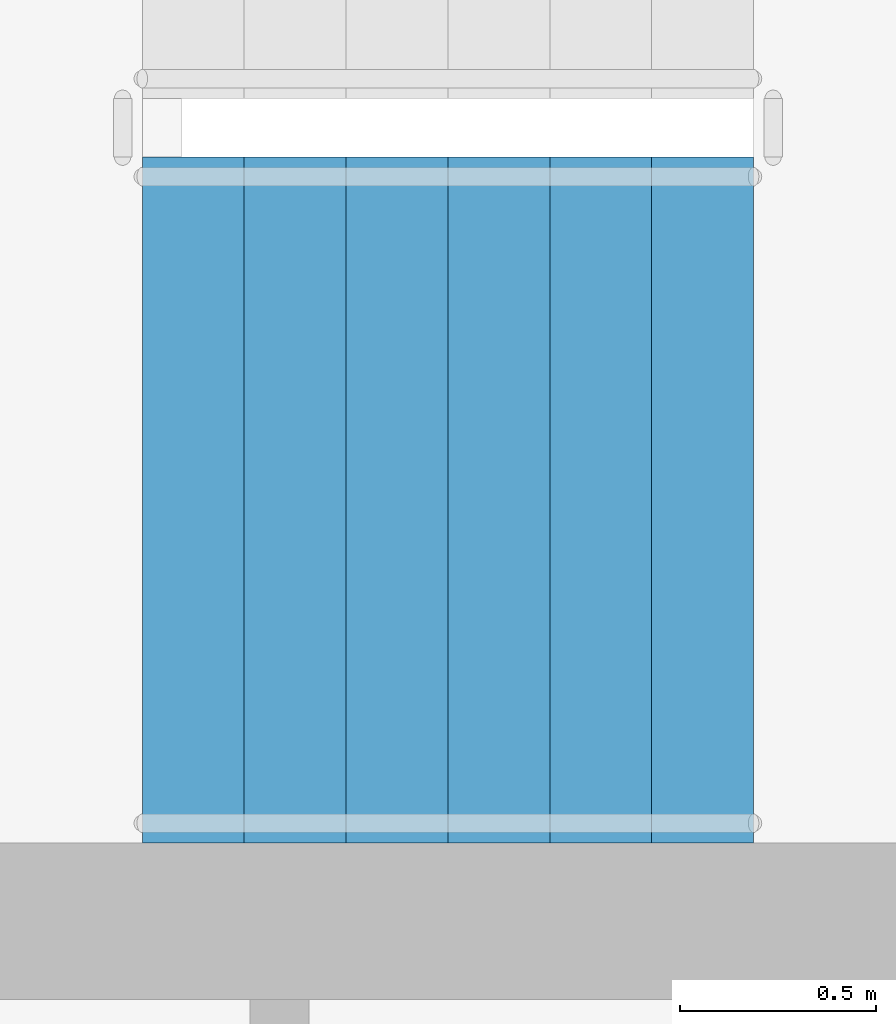
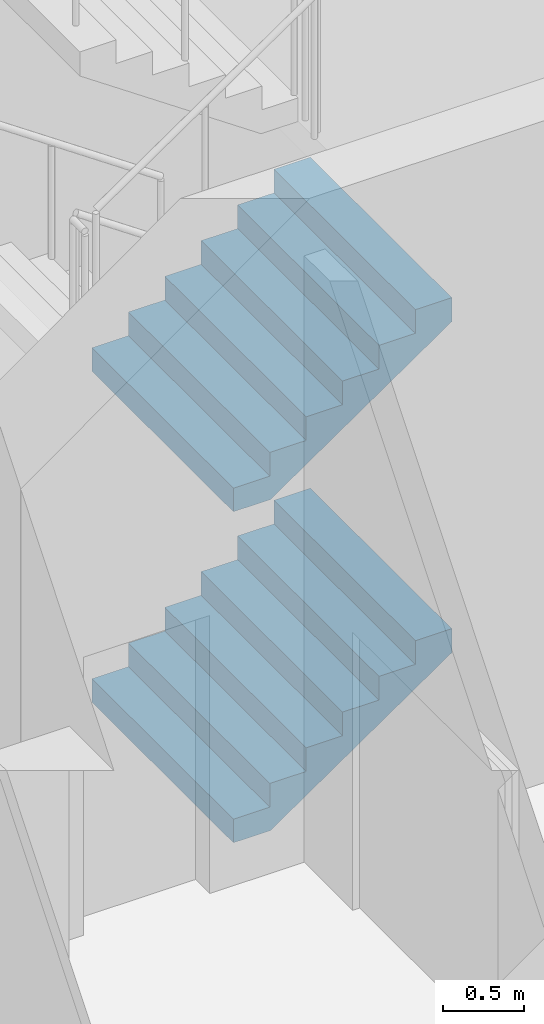
# One storey, part 32 of 59: 2 stair flights, 1 element without a shape of its own.
"""IFC4 building model written with IfcOpenShell, lengths in metres."""

from ifc_helpers import new_model, si_unit, direction, frame, origin, place, context, subcontext, project, spatial, faceted_brep, material, type_object, element, aggregate, save


model = new_model("IFC4")

# Units and contexts
model_context = context("Model", 3, precision=1e-05, world=origin(), true_north=direction((0.0, 1.0)))
body_context = subcontext(model_context, "Body", "Model", "MODEL_VIEW")
ifc_project = project(units=[si_unit("LENGTHUNIT", "METRE"), si_unit("AREAUNIT", "SQUARE_METRE"), si_unit("VOLUMEUNIT", "CUBIC_METRE"), si_unit("PLANEANGLEUNIT", "RADIAN"), si_unit("MASSUNIT", "GRAM", prefix="KILO")], contexts=[model_context])

# Site, building, storey
site_placement = place(None, origin())
site = spatial("IfcSite", under=ifc_project, at=site_placement, CompositionType="ELEMENT")
building_placement = place(site_placement, origin())
building = spatial("IfcBuilding", under=site, at=building_placement, Name="Ipe Terrace Towers", CompositionType="ELEMENT")
storey_placement = place(building_placement, frame((0.0, 0.0, 6.0)))
storey = spatial("IfcBuildingStorey", under=building, at=storey_placement, Name="L01", CompositionType="ELEMENT", Elevation=6.0)

# Stair, stair flights
ifc_material_1 = material(Name="Concrete C30/37", Category="concrete")
stair_type = type_object("IfcStairType", Name="Protected exit stair", PredefinedType="HALF_TURN_STAIR", material=ifc_material_1)
stair_placement = place(storey_placement, origin())
stair = element("IfcStair", 1, at=stair_placement, inside=storey, type_object=stair_type, Name="L01 Exit stair T1-C1", PredefinedType="HALF_TURN_STAIR")
ifc_material_2 = material(Name="Concrete C30/37", Category="concrete")
stair_flight_type = type_object("IfcStairFlightType", Name="Exit stair flight 1750", PredefinedType="STRAIGHT", material=ifc_material_2)
stair_flight_1_placement = place(storey_placement, frame((-26.300048828125, 2.77490234375, 0.0), z_axis=(0.0, 0.0, 1.0), x_axis=(1.0, 0.0, 0.0)))
stair_flight_1 = element("IfcStairFlight", 2, at=stair_flight_1_placement, type_object=stair_flight_type, Name="T1-ST1 flight 1", NumberOfRisers=7, NumberOfTreads=6, PredefinedType="STRAIGHT", RiserHeight=0.178571429, TreadLength=0.26, context=body_context, shape_type="Brep", body=[
    faceted_brep([(0.264892578125, -0.875, 0.0), (1.56005859375, -0.875, 0.8896484375), (1.56005859375, -0.875, 1.071533203125), (1.300048828125, -0.875, 1.071533203125), (1.300048828125, -0.875, 0.892822265625), (1.0400390625, -0.875, 0.892822265625), (1.0400390625, -0.875, 0.71435546875), (0.780029296875, -0.875, 0.71435546875), (0.780029296875, -0.875, 0.53564453125), (0.52001953125, -0.875, 0.53564453125), (0.52001953125, -0.875, 0.357177734375), (0.260009765625, -0.875, 0.357177734375), (0.260009765625, -0.875, 0.178466796875), (0.0, -0.875, 0.178466796875), (0.0, -0.875, 0.0), (0.0, 0.875, 0.0), (0.0, 0.875, 0.178466796875), (0.260009765625, 0.875, 0.178466796875), (0.260009765625, 0.875, 0.357177734375), (0.52001953125, 0.875, 0.357177734375), (0.52001953125, 0.875, 0.53564453125), (0.780029296875, 0.875, 0.53564453125), (0.780029296875, 0.875, 0.71435546875), (1.0400390625, 0.875, 0.71435546875), (1.0400390625, 0.875, 0.892822265625), (1.300048828125, 0.875, 0.892822265625), (1.300048828125, 0.875, 1.071533203125), (1.56005859375, 0.875, 1.071533203125), (1.56005859375, 0.875, 0.8896484375), (0.264892578125, 0.875, 0.0), (0.0, -0.300048828125, 0.178466796875), (0.0, -0.1201171875, 0.178466796875), (0.0, -0.06005859375, 0.178466796875), (0.0, -0.030029296875, 0.178466796875), (0.0, -0.010009765625, 0.178466796875), (0.0, 0.0, 0.178466796875), (0.0, 0.010009765625, 0.178466796875), (0.0, 0.030029296875, 0.178466796875), (0.0, 0.06005859375, 0.178466796875), (0.0, 0.1201171875, 0.178466796875), (0.0, 0.300048828125, 0.178466796875), (0.0, 0.300048828125, 0.0), (0.0, 0.1201171875, 0.0), (0.0, 0.06005859375, 0.0), (0.0, 0.030029296875, 0.0), (0.0, 0.010009765625, 0.0), (0.0, 0.0, 0.0), (0.0, -0.010009765625, 0.0), (0.0, -0.030029296875, 0.0), (0.0, -0.06005859375, 0.0), (0.0, -0.1201171875, 0.0), (0.0, -0.300048828125, 0.0), (0.260009765625, -0.300048828125, 0.178466796875), (0.260009765625, -0.1201171875, 0.178466796875), (0.260009765625, -0.06005859375, 0.178466796875), (0.260009765625, -0.030029296875, 0.178466796875), (0.260009765625, -0.010009765625, 0.178466796875), (0.260009765625, 0.0, 0.178466796875), (0.260009765625, 0.010009765625, 0.178466796875), (0.260009765625, 0.030029296875, 0.178466796875), (0.260009765625, 0.06005859375, 0.178466796875), (0.260009765625, 0.1201171875, 0.178466796875), (0.260009765625, 0.300048828125, 0.178466796875), (0.260009765625, -0.300048828125, 0.357177734375), (0.260009765625, -0.1201171875, 0.357177734375), (0.260009765625, -0.06005859375, 0.357177734375), (0.260009765625, -0.030029296875, 0.357177734375), (0.260009765625, -0.010009765625, 0.357177734375), (0.260009765625, 0.0, 0.357177734375), (0.260009765625, 0.010009765625, 0.357177734375), (0.260009765625, 0.030029296875, 0.357177734375), (0.260009765625, 0.06005859375, 0.357177734375), (0.260009765625, 0.1201171875, 0.357177734375), (0.260009765625, 0.300048828125, 0.357177734375), (0.52001953125, -0.300048828125, 0.357177734375), (0.52001953125, -0.1201171875, 0.357177734375), (0.52001953125, -0.06005859375, 0.357177734375), (0.52001953125, -0.030029296875, 0.357177734375), (0.52001953125, -0.010009765625, 0.357177734375), (0.52001953125, 0.0, 0.357177734375), (0.52001953125, 0.010009765625, 0.357177734375), (0.52001953125, 0.030029296875, 0.357177734375), (0.52001953125, 0.06005859375, 0.357177734375), (0.52001953125, 0.1201171875, 0.357177734375), (0.52001953125, 0.300048828125, 0.357177734375), (0.52001953125, -0.300048828125, 0.53564453125), (0.52001953125, -0.1201171875, 0.53564453125), (0.52001953125, -0.06005859375, 0.53564453125), (0.52001953125, -0.030029296875, 0.53564453125), (0.52001953125, -0.010009765625, 0.53564453125), (0.52001953125, 0.0, 0.53564453125), (0.52001953125, 0.010009765625, 0.53564453125), (0.52001953125, 0.030029296875, 0.53564453125), (0.52001953125, 0.06005859375, 0.53564453125), (0.52001953125, 0.1201171875, 0.53564453125), (0.52001953125, 0.300048828125, 0.53564453125), (0.780029296875, -0.300048828125, 0.53564453125), (0.780029296875, -0.1201171875, 0.53564453125), (0.780029296875, -0.06005859375, 0.53564453125), (0.780029296875, -0.030029296875, 0.53564453125), (0.780029296875, -0.010009765625, 0.53564453125), (0.780029296875, 0.0, 0.53564453125), (0.780029296875, 0.010009765625, 0.53564453125), (0.780029296875, 0.030029296875, 0.53564453125), (0.780029296875, 0.06005859375, 0.53564453125), (0.780029296875, 0.1201171875, 0.53564453125), (0.780029296875, 0.300048828125, 0.53564453125), (0.780029296875, -0.300048828125, 0.71435546875), (0.780029296875, -0.1201171875, 0.71435546875), (0.780029296875, -0.06005859375, 0.71435546875), (0.780029296875, -0.030029296875, 0.71435546875), (0.780029296875, -0.010009765625, 0.71435546875), (0.780029296875, 0.0, 0.71435546875), (0.780029296875, 0.010009765625, 0.71435546875), (0.780029296875, 0.030029296875, 0.71435546875), (0.780029296875, 0.06005859375, 0.71435546875), (0.780029296875, 0.1201171875, 0.71435546875), (0.780029296875, 0.300048828125, 0.71435546875), (1.0400390625, -0.300048828125, 0.71435546875), (1.0400390625, -0.1201171875, 0.71435546875), (1.0400390625, -0.06005859375, 0.71435546875), (1.0400390625, -0.030029296875, 0.71435546875), (1.0400390625, -0.010009765625, 0.71435546875), (1.0400390625, 0.0, 0.71435546875), (1.0400390625, 0.010009765625, 0.71435546875), (1.0400390625, 0.030029296875, 0.71435546875), (1.0400390625, 0.06005859375, 0.71435546875), (1.0400390625, 0.1201171875, 0.71435546875), (1.0400390625, 0.300048828125, 0.71435546875), (1.0400390625, -0.300048828125, 0.892822265625), (1.0400390625, -0.1201171875, 0.892822265625), (1.0400390625, -0.06005859375, 0.892822265625), (1.0400390625, -0.030029296875, 0.892822265625), (1.0400390625, -0.010009765625, 0.892822265625), (1.0400390625, 0.0, 0.892822265625), (1.0400390625, 0.010009765625, 0.892822265625), (1.0400390625, 0.030029296875, 0.892822265625), (1.0400390625, 0.06005859375, 0.892822265625), (1.0400390625, 0.1201171875, 0.892822265625), (1.0400390625, 0.300048828125, 0.892822265625), (1.300048828125, -0.300048828125, 0.892822265625), (1.300048828125, -0.1201171875, 0.892822265625), (1.300048828125, -0.06005859375, 0.892822265625), (1.300048828125, -0.030029296875, 0.892822265625), (1.300048828125, -0.010009765625, 0.892822265625), (1.300048828125, 0.0, 0.892822265625), (1.300048828125, 0.010009765625, 0.892822265625), (1.300048828125, 0.030029296875, 0.892822265625), (1.300048828125, 0.06005859375, 0.892822265625), (1.300048828125, 0.1201171875, 0.892822265625), (1.300048828125, 0.300048828125, 0.892822265625), (1.300048828125, -0.300048828125, 1.071533203125), (1.300048828125, -0.1201171875, 1.071533203125), (1.300048828125, -0.06005859375, 1.071533203125), (1.300048828125, -0.030029296875, 1.071533203125), (1.300048828125, -0.010009765625, 1.071533203125), (1.300048828125, 0.0, 1.071533203125), (1.300048828125, 0.010009765625, 1.071533203125), (1.300048828125, 0.030029296875, 1.071533203125), (1.300048828125, 0.06005859375, 1.071533203125), (1.300048828125, 0.1201171875, 1.071533203125), (1.300048828125, 0.300048828125, 1.071533203125), (1.56005859375, -0.300048828125, 1.071533203125), (1.56005859375, -0.1201171875, 1.071533203125), (1.56005859375, -0.06005859375, 1.071533203125), (1.56005859375, -0.030029296875, 1.071533203125), (1.56005859375, -0.010009765625, 1.071533203125), (1.56005859375, 0.0, 1.071533203125), (1.56005859375, 0.010009765625, 1.071533203125), (1.56005859375, 0.030029296875, 1.071533203125), (1.56005859375, 0.06005859375, 1.071533203125), (1.56005859375, 0.1201171875, 1.071533203125), (1.56005859375, 0.300048828125, 1.071533203125), (1.56005859375, -0.300048828125, 0.8896484375), (1.56005859375, -0.1201171875, 0.8896484375), (1.56005859375, -0.06005859375, 0.8896484375), (1.56005859375, -0.030029296875, 0.8896484375), (1.56005859375, -0.010009765625, 0.8896484375), (1.56005859375, 0.0, 0.8896484375), (1.56005859375, 0.010009765625, 0.8896484375), (1.56005859375, 0.030029296875, 0.8896484375), (1.56005859375, 0.06005859375, 0.8896484375), (1.56005859375, 0.1201171875, 0.8896484375), (1.56005859375, 0.300048828125, 0.8896484375), (0.264892578125, -0.300048828125, 0.0), (0.264892578125, -0.1201171875, 0.0), (0.264892578125, -0.06005859375, 0.0), (0.264892578125, -0.030029296875, 0.0), (0.264892578125, -0.010009765625, 0.0), (0.264892578125, 0.0, 0.0), (0.264892578125, 0.010009765625, 0.0), (0.264892578125, 0.030029296875, 0.0), (0.264892578125, 0.06005859375, 0.0), (0.264892578125, 0.1201171875, 0.0), (0.264892578125, 0.300048828125, 0.0)], [[[0, 1, 2, 3, 4, 5, 6, 7, 8, 9, 10, 11, 12, 13, 14]], [[15, 16, 17, 18, 19, 20, 21, 22, 23, 24, 25, 26, 27, 28, 29]], [[13, 30, 31, 32, 33, 34, 35, 36, 37, 38, 39, 40, 16, 15, 41, 42, 43, 44, 45, 46, 47, 48, 49, 50, 51, 14]], [[12, 52, 53, 54, 55, 56, 57, 58, 59, 60, 61, 62, 17, 16, 40, 39, 38, 37, 36, 35, 34, 33, 32, 31, 30, 13]], [[11, 63, 64, 65, 66, 67, 68, 69, 70, 71, 72, 73, 18, 17, 62, 61, 60, 59, 58, 57, 56, 55, 54, 53, 52, 12]], [[10, 74, 75, 76, 77, 78, 79, 80, 81, 82, 83, 84, 19, 18, 73, 72, 71, 70, 69, 68, 67, 66, 65, 64, 63, 11]], [[9, 85, 86, 87, 88, 89, 90, 91, 92, 93, 94, 95, 20, 19, 84, 83, 82, 81, 80, 79, 78, 77, 76, 75, 74, 10]], [[8, 96, 97, 98, 99, 100, 101, 102, 103, 104, 105, 106, 21, 20, 95, 94, 93, 92, 91, 90, 89, 88, 87, 86, 85, 9]], [[7, 107, 108, 109, 110, 111, 112, 113, 114, 115, 116, 117, 22, 21, 106, 105, 104, 103, 102, 101, 100, 99, 98, 97, 96, 8]], [[6, 118, 119, 120, 121, 122, 123, 124, 125, 126, 127, 128, 23, 22, 117, 116, 115, 114, 113, 112, 111, 110, 109, 108, 107, 7]], [[5, 129, 130, 131, 132, 133, 134, 135, 136, 137, 138, 139, 24, 23, 128, 127, 126, 125, 124, 123, 122, 121, 120, 119, 118, 6]], [[4, 140, 141, 142, 143, 144, 145, 146, 147, 148, 149, 150, 25, 24, 139, 138, 137, 136, 135, 134, 133, 132, 131, 130, 129, 5]], [[3, 151, 152, 153, 154, 155, 156, 157, 158, 159, 160, 161, 26, 25, 150, 149, 148, 147, 146, 145, 144, 143, 142, 141, 140, 4]], [[2, 162, 163, 164, 165, 166, 167, 168, 169, 170, 171, 172, 27, 26, 161, 160, 159, 158, 157, 156, 155, 154, 153, 152, 151, 3]], [[1, 173, 174, 175, 176, 177, 178, 179, 180, 181, 182, 183, 28, 27, 172, 171, 170, 169, 168, 167, 166, 165, 164, 163, 162, 2]], [[0, 184, 185, 186, 187, 188, 189, 190, 191, 192, 193, 194, 29, 28, 183, 182, 181, 180, 179, 178, 177, 176, 175, 174, 173, 1]], [[14, 51, 50, 49, 48, 47, 46, 45, 44, 43, 42, 41, 15, 29, 194, 193, 192, 191, 190, 189, 188, 187, 186, 185, 184, 0]]]),
])
stair_flight_2_placement = place(storey_placement, frame((-26.300048828125, 2.77490234375, 2.5), z_axis=(0.0, 0.0, 1.0), x_axis=(1.0, 0.0, 0.0)))
stair_flight_2 = element("IfcStairFlight", 3, at=stair_flight_2_placement, type_object=stair_flight_type, Name="T1-ST1 flight 3", NumberOfRisers=7, NumberOfTreads=6, PredefinedType="STRAIGHT", RiserHeight=0.178571429, TreadLength=0.26, context=body_context, shape_type="Brep", body=[
    faceted_brep([(0.264892578125, -0.875, 0.0), (1.56005859375, -0.875, 0.8896484375), (1.56005859375, -0.875, 1.071533203125), (1.300048828125, -0.875, 1.071533203125), (1.300048828125, -0.875, 0.892822265625), (1.0400390625, -0.875, 0.892822265625), (1.0400390625, -0.875, 0.71435546875), (0.780029296875, -0.875, 0.71435546875), (0.780029296875, -0.875, 0.53564453125), (0.52001953125, -0.875, 0.53564453125), (0.52001953125, -0.875, 0.357177734375), (0.260009765625, -0.875, 0.357177734375), (0.260009765625, -0.875, 0.178466796875), (0.0, -0.875, 0.178466796875), (0.0, -0.875, 0.0), (0.0, 0.875, 0.0), (0.0, 0.875, 0.178466796875), (0.260009765625, 0.875, 0.178466796875), (0.260009765625, 0.875, 0.357177734375), (0.52001953125, 0.875, 0.357177734375), (0.52001953125, 0.875, 0.53564453125), (0.780029296875, 0.875, 0.53564453125), (0.780029296875, 0.875, 0.71435546875), (1.0400390625, 0.875, 0.71435546875), (1.0400390625, 0.875, 0.892822265625), (1.300048828125, 0.875, 0.892822265625), (1.300048828125, 0.875, 1.071533203125), (1.56005859375, 0.875, 1.071533203125), (1.56005859375, 0.875, 0.8896484375), (0.264892578125, 0.875, 0.0), (0.0, -0.300048828125, 0.178466796875), (0.0, -0.1201171875, 0.178466796875), (0.0, -0.06005859375, 0.178466796875), (0.0, -0.030029296875, 0.178466796875), (0.0, -0.010009765625, 0.178466796875), (0.0, 0.0, 0.178466796875), (0.0, 0.010009765625, 0.178466796875), (0.0, 0.030029296875, 0.178466796875), (0.0, 0.06005859375, 0.178466796875), (0.0, 0.1201171875, 0.178466796875), (0.0, 0.300048828125, 0.178466796875), (0.0, 0.300048828125, 0.0), (0.0, 0.1201171875, 0.0), (0.0, 0.06005859375, 0.0), (0.0, 0.030029296875, 0.0), (0.0, 0.010009765625, 0.0), (0.0, 0.0, 0.0), (0.0, -0.010009765625, 0.0), (0.0, -0.030029296875, 0.0), (0.0, -0.06005859375, 0.0), (0.0, -0.1201171875, 0.0), (0.0, -0.300048828125, 0.0), (0.260009765625, -0.300048828125, 0.178466796875), (0.260009765625, -0.1201171875, 0.178466796875), (0.260009765625, -0.06005859375, 0.178466796875), (0.260009765625, -0.030029296875, 0.178466796875), (0.260009765625, -0.010009765625, 0.178466796875), (0.260009765625, 0.0, 0.178466796875), (0.260009765625, 0.010009765625, 0.178466796875), (0.260009765625, 0.030029296875, 0.178466796875), (0.260009765625, 0.06005859375, 0.178466796875), (0.260009765625, 0.1201171875, 0.178466796875), (0.260009765625, 0.300048828125, 0.178466796875), (0.260009765625, -0.300048828125, 0.357177734375), (0.260009765625, -0.1201171875, 0.357177734375), (0.260009765625, -0.06005859375, 0.357177734375), (0.260009765625, -0.030029296875, 0.357177734375), (0.260009765625, -0.010009765625, 0.357177734375), (0.260009765625, 0.0, 0.357177734375), (0.260009765625, 0.010009765625, 0.357177734375), (0.260009765625, 0.030029296875, 0.357177734375), (0.260009765625, 0.06005859375, 0.357177734375), (0.260009765625, 0.1201171875, 0.357177734375), (0.260009765625, 0.300048828125, 0.357177734375), (0.52001953125, -0.300048828125, 0.357177734375), (0.52001953125, -0.1201171875, 0.357177734375), (0.52001953125, -0.06005859375, 0.357177734375), (0.52001953125, -0.030029296875, 0.357177734375), (0.52001953125, -0.010009765625, 0.357177734375), (0.52001953125, 0.0, 0.357177734375), (0.52001953125, 0.010009765625, 0.357177734375), (0.52001953125, 0.030029296875, 0.357177734375), (0.52001953125, 0.06005859375, 0.357177734375), (0.52001953125, 0.1201171875, 0.357177734375), (0.52001953125, 0.300048828125, 0.357177734375), (0.52001953125, -0.300048828125, 0.53564453125), (0.52001953125, -0.1201171875, 0.53564453125), (0.52001953125, -0.06005859375, 0.53564453125), (0.52001953125, -0.030029296875, 0.53564453125), (0.52001953125, -0.010009765625, 0.53564453125), (0.52001953125, 0.0, 0.53564453125), (0.52001953125, 0.010009765625, 0.53564453125), (0.52001953125, 0.030029296875, 0.53564453125), (0.52001953125, 0.06005859375, 0.53564453125), (0.52001953125, 0.1201171875, 0.53564453125), (0.52001953125, 0.300048828125, 0.53564453125), (0.780029296875, -0.300048828125, 0.53564453125), (0.780029296875, -0.1201171875, 0.53564453125), (0.780029296875, -0.06005859375, 0.53564453125), (0.780029296875, -0.030029296875, 0.53564453125), (0.780029296875, -0.010009765625, 0.53564453125), (0.780029296875, 0.0, 0.53564453125), (0.780029296875, 0.010009765625, 0.53564453125), (0.780029296875, 0.030029296875, 0.53564453125), (0.780029296875, 0.06005859375, 0.53564453125), (0.780029296875, 0.1201171875, 0.53564453125), (0.780029296875, 0.300048828125, 0.53564453125), (0.780029296875, -0.300048828125, 0.71435546875), (0.780029296875, -0.1201171875, 0.71435546875), (0.780029296875, -0.06005859375, 0.71435546875), (0.780029296875, -0.030029296875, 0.71435546875), (0.780029296875, -0.010009765625, 0.71435546875), (0.780029296875, 0.0, 0.71435546875), (0.780029296875, 0.010009765625, 0.71435546875), (0.780029296875, 0.030029296875, 0.71435546875), (0.780029296875, 0.06005859375, 0.71435546875), (0.780029296875, 0.1201171875, 0.71435546875), (0.780029296875, 0.300048828125, 0.71435546875), (1.0400390625, -0.300048828125, 0.71435546875), (1.0400390625, -0.1201171875, 0.71435546875), (1.0400390625, -0.06005859375, 0.71435546875), (1.0400390625, -0.030029296875, 0.71435546875), (1.0400390625, -0.010009765625, 0.71435546875), (1.0400390625, 0.0, 0.71435546875), (1.0400390625, 0.010009765625, 0.71435546875), (1.0400390625, 0.030029296875, 0.71435546875), (1.0400390625, 0.06005859375, 0.71435546875), (1.0400390625, 0.1201171875, 0.71435546875), (1.0400390625, 0.300048828125, 0.71435546875), (1.0400390625, -0.300048828125, 0.892822265625), (1.0400390625, -0.1201171875, 0.892822265625), (1.0400390625, -0.06005859375, 0.892822265625), (1.0400390625, -0.030029296875, 0.892822265625), (1.0400390625, -0.010009765625, 0.892822265625), (1.0400390625, 0.0, 0.892822265625), (1.0400390625, 0.010009765625, 0.892822265625), (1.0400390625, 0.030029296875, 0.892822265625), (1.0400390625, 0.06005859375, 0.892822265625), (1.0400390625, 0.1201171875, 0.892822265625), (1.0400390625, 0.300048828125, 0.892822265625), (1.300048828125, -0.300048828125, 0.892822265625), (1.300048828125, -0.1201171875, 0.892822265625), (1.300048828125, -0.06005859375, 0.892822265625), (1.300048828125, -0.030029296875, 0.892822265625), (1.300048828125, -0.010009765625, 0.892822265625), (1.300048828125, 0.0, 0.892822265625), (1.300048828125, 0.010009765625, 0.892822265625), (1.300048828125, 0.030029296875, 0.892822265625), (1.300048828125, 0.06005859375, 0.892822265625), (1.300048828125, 0.1201171875, 0.892822265625), (1.300048828125, 0.300048828125, 0.892822265625), (1.300048828125, -0.300048828125, 1.071533203125), (1.300048828125, -0.1201171875, 1.071533203125), (1.300048828125, -0.06005859375, 1.071533203125), (1.300048828125, -0.030029296875, 1.071533203125), (1.300048828125, -0.010009765625, 1.071533203125), (1.300048828125, 0.0, 1.071533203125), (1.300048828125, 0.010009765625, 1.071533203125), (1.300048828125, 0.030029296875, 1.071533203125), (1.300048828125, 0.06005859375, 1.071533203125), (1.300048828125, 0.1201171875, 1.071533203125), (1.300048828125, 0.300048828125, 1.071533203125), (1.56005859375, -0.300048828125, 1.071533203125), (1.56005859375, -0.1201171875, 1.071533203125), (1.56005859375, -0.06005859375, 1.071533203125), (1.56005859375, -0.030029296875, 1.071533203125), (1.56005859375, -0.010009765625, 1.071533203125), (1.56005859375, 0.0, 1.071533203125), (1.56005859375, 0.010009765625, 1.071533203125), (1.56005859375, 0.030029296875, 1.071533203125), (1.56005859375, 0.06005859375, 1.071533203125), (1.56005859375, 0.1201171875, 1.071533203125), (1.56005859375, 0.300048828125, 1.071533203125), (1.56005859375, -0.300048828125, 0.8896484375), (1.56005859375, -0.1201171875, 0.8896484375), (1.56005859375, -0.06005859375, 0.8896484375), (1.56005859375, -0.030029296875, 0.8896484375), (1.56005859375, -0.010009765625, 0.8896484375), (1.56005859375, 0.0, 0.8896484375), (1.56005859375, 0.010009765625, 0.8896484375), (1.56005859375, 0.030029296875, 0.8896484375), (1.56005859375, 0.06005859375, 0.8896484375), (1.56005859375, 0.1201171875, 0.8896484375), (1.56005859375, 0.300048828125, 0.8896484375), (0.264892578125, -0.300048828125, 0.0), (0.264892578125, -0.1201171875, 0.0), (0.264892578125, -0.06005859375, 0.0), (0.264892578125, -0.030029296875, 0.0), (0.264892578125, -0.010009765625, 0.0), (0.264892578125, 0.0, 0.0), (0.264892578125, 0.010009765625, 0.0), (0.264892578125, 0.030029296875, 0.0), (0.264892578125, 0.06005859375, 0.0), (0.264892578125, 0.1201171875, 0.0), (0.264892578125, 0.300048828125, 0.0)], [[[0, 1, 2, 3, 4, 5, 6, 7, 8, 9, 10, 11, 12, 13, 14]], [[15, 16, 17, 18, 19, 20, 21, 22, 23, 24, 25, 26, 27, 28, 29]], [[13, 30, 31, 32, 33, 34, 35, 36, 37, 38, 39, 40, 16, 15, 41, 42, 43, 44, 45, 46, 47, 48, 49, 50, 51, 14]], [[12, 52, 53, 54, 55, 56, 57, 58, 59, 60, 61, 62, 17, 16, 40, 39, 38, 37, 36, 35, 34, 33, 32, 31, 30, 13]], [[11, 63, 64, 65, 66, 67, 68, 69, 70, 71, 72, 73, 18, 17, 62, 61, 60, 59, 58, 57, 56, 55, 54, 53, 52, 12]], [[10, 74, 75, 76, 77, 78, 79, 80, 81, 82, 83, 84, 19, 18, 73, 72, 71, 70, 69, 68, 67, 66, 65, 64, 63, 11]], [[9, 85, 86, 87, 88, 89, 90, 91, 92, 93, 94, 95, 20, 19, 84, 83, 82, 81, 80, 79, 78, 77, 76, 75, 74, 10]], [[8, 96, 97, 98, 99, 100, 101, 102, 103, 104, 105, 106, 21, 20, 95, 94, 93, 92, 91, 90, 89, 88, 87, 86, 85, 9]], [[7, 107, 108, 109, 110, 111, 112, 113, 114, 115, 116, 117, 22, 21, 106, 105, 104, 103, 102, 101, 100, 99, 98, 97, 96, 8]], [[6, 118, 119, 120, 121, 122, 123, 124, 125, 126, 127, 128, 23, 22, 117, 116, 115, 114, 113, 112, 111, 110, 109, 108, 107, 7]], [[5, 129, 130, 131, 132, 133, 134, 135, 136, 137, 138, 139, 24, 23, 128, 127, 126, 125, 124, 123, 122, 121, 120, 119, 118, 6]], [[4, 140, 141, 142, 143, 144, 145, 146, 147, 148, 149, 150, 25, 24, 139, 138, 137, 136, 135, 134, 133, 132, 131, 130, 129, 5]], [[3, 151, 152, 153, 154, 155, 156, 157, 158, 159, 160, 161, 26, 25, 150, 149, 148, 147, 146, 145, 144, 143, 142, 141, 140, 4]], [[2, 162, 163, 164, 165, 166, 167, 168, 169, 170, 171, 172, 27, 26, 161, 160, 159, 158, 157, 156, 155, 154, 153, 152, 151, 3]], [[1, 173, 174, 175, 176, 177, 178, 179, 180, 181, 182, 183, 28, 27, 172, 171, 170, 169, 168, 167, 166, 165, 164, 163, 162, 2]], [[0, 184, 185, 186, 187, 188, 189, 190, 191, 192, 193, 194, 29, 28, 183, 182, 181, 180, 179, 178, 177, 176, 175, 174, 173, 1]], [[14, 51, 50, 49, 48, 47, 46, 45, 44, 43, 42, 41, 15, 29, 194, 193, 192, 191, 190, 189, 188, 187, 186, 185, 184, 0]]]),
])
aggregate(stair, [stair_flight_1, stair_flight_2])

save(model, "model.ifc")
